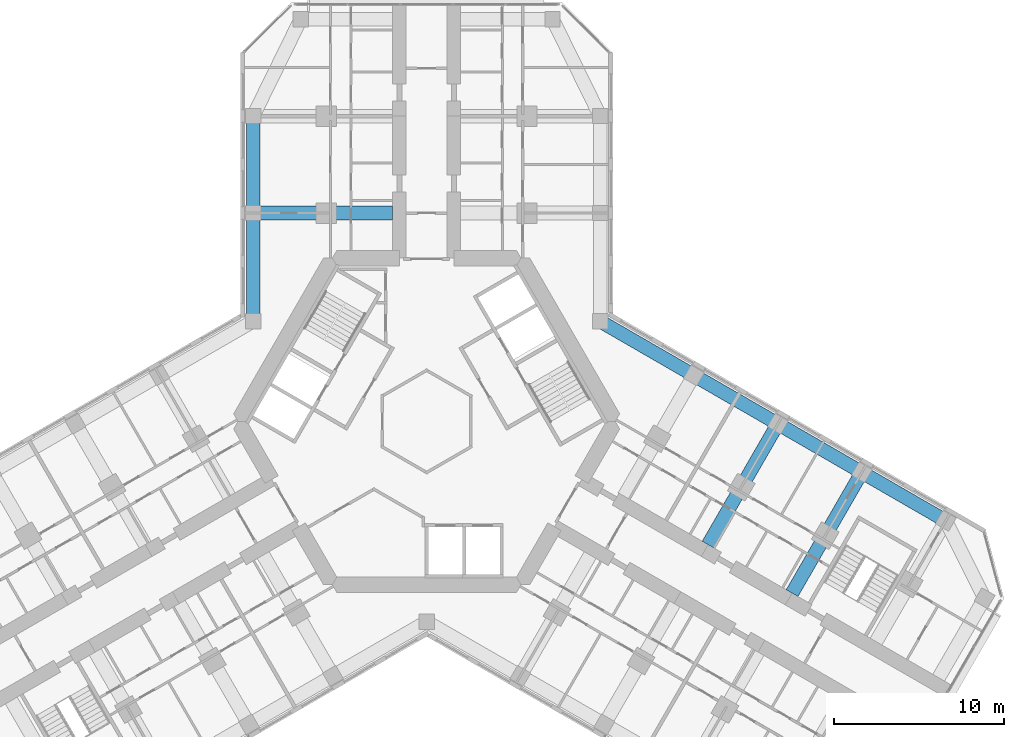
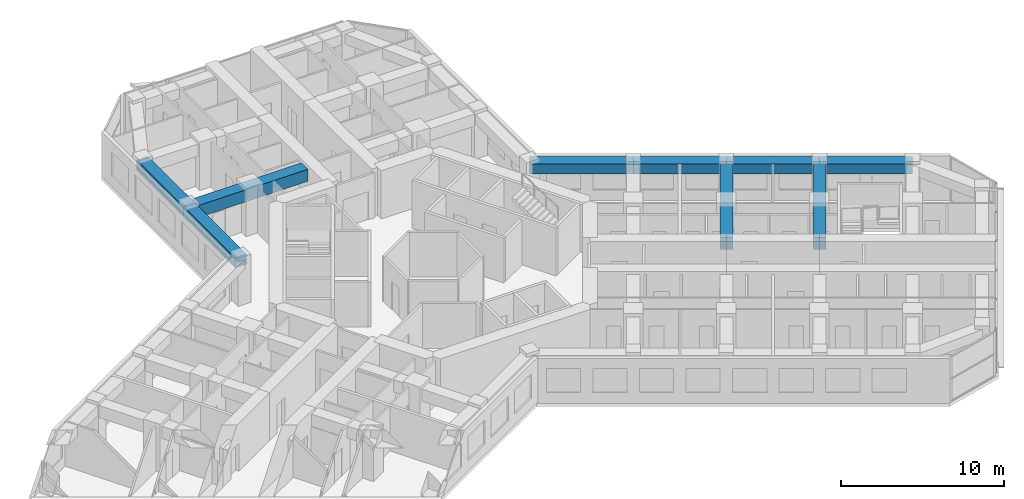
# One storey, part 6 of 20: 9 beams.
"""IFC4 building model written with IfcOpenShell, lengths in metres."""

import ifcopenshell
import ifcopenshell.guid

model = None  # the IFC model being written
_history = None  # IfcOwnerHistory: only IFC2X3 demands one
_inside = {}  # id of a spatial element -> (the spatial element, [elements in it])
_under = {}  # id of a project, library or spatial element -> (it, [spatial elements below it])
_declared = {}  # id of a project -> (the project, [libraries it declares])
_typed = {}  # id of a type object -> (the type object, [elements of that type])
_made_of = {}  # id of a material, layer set ... -> (it, [elements and type objects made of it])


def new_model(schema):
    """Start an empty IFC model of exactly this schema.

    Asked for "IFC4X3", IfcOpenShell would pick the latest addendum, in which some entities
    have other attributes; the version numbers below select the first issue.
    IFC2X3 requires an IfcOwnerHistory on every rooted entity: one is made here for all.
    """
    global model, _history
    if schema == "IFC4X3":
        model = ifcopenshell.file(schema_version=(4, 3, 0, 0))
    else:
        model = ifcopenshell.file(schema=schema)
    _inside.clear()
    _under.clear()
    _declared.clear()
    _typed.clear()
    _made_of.clear()
    _history = None
    if model.schema == "IFC2X3":
        org = make("IfcOrganization", Name="unknown")
        user = make(
            "IfcPersonAndOrganization",
            ThePerson=make("IfcPerson", FamilyName="unknown"),
            TheOrganization=org,
        )
        app = make(
            "IfcApplication",
            ApplicationDeveloper=org,
            Version="unknown",
            ApplicationFullName="unknown",
            ApplicationIdentifier="unknown",
        )
        _history = make(
            "IfcOwnerHistory",
            OwningUser=user,
            OwningApplication=app,
            ChangeAction="ADDED",
            CreationDate=0,
        )
    return model


def make(cls, **values):
    """One entity of the class cls with the attributes given. An attribute that is None is left unset."""
    return model.create_entity(
        cls, **{name: value for name, value in values.items() if value is not None}
    )


def rooted(cls, **values):
    """An entity with a GlobalId (a new one), such as an element, a storey or a relation."""
    return make(cls, GlobalId=ifcopenshell.guid.new(), OwnerHistory=_history, **values)


def si_unit(unit_type, name, prefix=None):
    """IfcSIUnit, for example si_unit("LENGTHUNIT", "METRE", prefix="MILLI")."""
    return make("IfcSIUnit", UnitType=unit_type, Prefix=prefix, Name=name)


def assignment(units):
    """IfcUnitAssignment: the units of a project."""
    return None if units is None else make("IfcUnitAssignment", Units=units)


def point(xyz):
    """IfcCartesianPoint."""
    return None if xyz is None else make("IfcCartesianPoint", Coordinates=xyz)


def direction(xyz):
    """IfcDirection."""
    return None if xyz is None else make("IfcDirection", DirectionRatios=xyz)


def frame(location, z_axis=None, x_axis=None):
    """IfcAxis2Placement3D, a coordinate frame: its origin and axes. An axis left out is left unset."""
    return make(
        "IfcAxis2Placement3D",
        Location=point(location),
        Axis=direction(z_axis),
        RefDirection=direction(x_axis),
    )


def frame_2d(location, x_axis=None):
    """IfcAxis2Placement2D, a coordinate frame in the plane: its origin and x axis."""
    return make(
        "IfcAxis2Placement2D", Location=point(location), RefDirection=direction(x_axis)
    )


def origin():
    """The frame at (0, 0, 0) with its axes left unset."""
    return frame((0.0, 0.0, 0.0))


def origin_2d():
    """The frame at (0, 0) in the plane with its x axis left unset."""
    return frame_2d((0.0, 0.0))


def place(relative_to, where):
    """IfcLocalPlacement: puts the frame where relative to a parent placement (None: the world)."""
    return make(
        "IfcLocalPlacement", PlacementRelTo=relative_to, RelativePlacement=where
    )


def context(
    kind, dimensions, precision=None, world=None, true_north=None, identifier=None
):
    """IfcGeometricRepresentationContext, for example the 3D "Model" context."""
    return make(
        "IfcGeometricRepresentationContext",
        ContextIdentifier=identifier,
        ContextType=kind,
        CoordinateSpaceDimension=dimensions,
        Precision=precision,
        WorldCoordinateSystem=world,
        TrueNorth=true_north,
    )


def subcontext(parent, identifier, kind, view, scale=None):
    """IfcGeometricRepresentationSubContext, for example "Body" below "Model"."""
    return make(
        "IfcGeometricRepresentationSubContext",
        ContextIdentifier=identifier,
        ContextType=kind,
        ParentContext=parent,
        TargetScale=scale,
        TargetView=view,
    )


def project(units=None, contexts=None):
    """IfcProject with its units and contexts."""
    return rooted(
        "IfcProject",
        Name="project",
        RepresentationContexts=contexts,
        UnitsInContext=assignment(units),
    )


def spatial(cls, under=None, at=None, **own):
    """A site, building, storey or space (cls), placed at a placement, below another one or the project."""
    s = rooted(cls, ObjectPlacement=at, **own)
    if under is not None:
        _under.setdefault(under.id(), (under, []))[1].append(s)
    return s


def profile(cls, at=None, kind="AREA", **sizes):
    """A parametric profile (cls). Its sizes go by their IFC names, for example OverallWidth=200.0."""
    return make(cls, ProfileType=kind, Position=at, **sizes)


def rectangle(**sizes):
    """IfcRectangleProfileDef."""
    return profile("IfcRectangleProfileDef", **sizes)


def extrude(swept, where, along, depth):
    """IfcExtrudedAreaSolid: the profile swept, set in the frame where, extruded along a direction by depth."""
    return make(
        "IfcExtrudedAreaSolid",
        SweptArea=swept,
        Position=where,
        ExtrudedDirection=direction(along),
        Depth=depth,
    )


def shape(context_of_items, identifier, shape_type, items):
    """IfcShapeRepresentation: the items that make up one representation, for example the "Body"."""
    return make(
        "IfcShapeRepresentation",
        ContextOfItems=context_of_items,
        RepresentationIdentifier=identifier,
        RepresentationType=shape_type,
        Items=items,
    )


def material(Name=None, Category=None):
    """IfcMaterial."""
    return make("IfcMaterial", Name=Name, Category=Category)


def material_profile(
    of_material, cross_section, Name=None, Category=None, Priority=None
):
    """IfcMaterialProfile: a cross section and its material."""
    return make(
        "IfcMaterialProfile",
        Name=Name,
        Material=of_material,
        Profile=cross_section,
        Priority=Priority,
        Category=Category,
    )


def profile_set(profiles, Name=None, composite=None):
    """IfcMaterialProfileSet."""
    return make(
        "IfcMaterialProfileSet",
        Name=Name,
        MaterialProfiles=profiles,
        CompositeProfile=composite,
    )


def made_of(thing, what):
    """Note that an element or type object is made of a material, layer set ...; save() writes the relation."""
    if what is not None:
        _made_of.setdefault(what.id(), (what, []))[1].append(thing)
    return thing


def type_object(cls, material=None, **own):
    """A type object (cls), such as IfcWallType, which elements share."""
    return made_of(rooted(cls, **own), material)


def element(
    cls,
    number,
    at=None,
    inside=None,
    cuts=None,
    type_object=None,
    material=None,
    context=None,
    identifier="Body",
    shape_type=None,
    held_by="IfcProductDefinitionShape",
    body=None,
    shapes=None,
    **own,
):
    """One element of the class cls, such as IfcWall. Its Tag is "e" and its number.

    at: its placement. inside: the storey or other place that contains it. cuts: it is an
    opening in that element (IfcRelVoidsElement). A single representation is given by context,
    identifier, shape_type and body (its items); several are given by shapes. held_by: the class
    of the entity that holds the representations. save() writes the other relations.
    """
    e = rooted(cls, Tag="e%d" % number, ObjectPlacement=at, **own)
    if body is not None:
        shapes = [shape(context, identifier, shape_type, body)]
    if shapes is not None:
        e.Representation = make(held_by, Representations=shapes)
    if inside is not None:
        _inside.setdefault(inside.id(), (inside, []))[1].append(e)
    if cuts is not None:
        rooted(
            "IfcRelVoidsElement", RelatingBuildingElement=cuts, RelatedOpeningElement=e
        )
    if type_object is not None:
        _typed.setdefault(type_object.id(), (type_object, []))[1].append(e)
    return made_of(e, material)


def aggregate(whole, parts):
    """IfcRelAggregates: a whole, such as a stair, and the parts it consists of."""
    return rooted("IfcRelAggregates", RelatingObject=whole, RelatedObjects=parts)


def save(model, path):
    """Write the relations noted so far, then the file.

    IfcRelAggregates (storeys below a building ...), IfcRelContainedInSpatialStructure (elements
    in a storey), IfcRelDefinesByType, IfcRelAssociatesMaterial and IfcRelDeclares: one each for
    every whole, place, type object, material and project.
    """
    for whole, parts in _under.values():
        aggregate(whole, parts)
    for where, things in _inside.values():
        rooted(
            "IfcRelContainedInSpatialStructure",
            RelatedElements=things,
            RelatingStructure=where,
        )
    for kind, things in _typed.values():
        rooted("IfcRelDefinesByType", RelatedObjects=things, RelatingType=kind)
    for what, things in _made_of.values():
        rooted("IfcRelAssociatesMaterial", RelatedObjects=things, RelatingMaterial=what)
    for by, libraries in _declared.values():
        rooted("IfcRelDeclares", RelatingContext=by, RelatedDefinitions=libraries)
    model.write(path)


model = new_model("IFC4")

# Units and contexts
model_context = context("Model", 3, precision=1e-05, world=origin(), true_north=direction((0.0, 1.0)))
body_context = subcontext(model_context, "Body", "Model", "MODEL_VIEW")
ifc_project = project(units=[si_unit("LENGTHUNIT", "METRE"), si_unit("AREAUNIT", "SQUARE_METRE"), si_unit("VOLUMEUNIT", "CUBIC_METRE"), si_unit("PLANEANGLEUNIT", "RADIAN"), si_unit("MASSUNIT", "GRAM", prefix="KILO")], contexts=[model_context])

# Site, building, storey
site_placement = place(None, origin())
site = spatial("IfcSite", under=ifc_project, at=site_placement, CompositionType="ELEMENT")
building_placement = place(site_placement, origin())
building = spatial("IfcBuilding", under=site, at=building_placement, Name="Kosmar Iwan School Tower", CompositionType="ELEMENT")
storey_placement = place(building_placement, frame((0.0, 0.0, 176.0)))
storey = spatial("IfcBuildingStorey", under=building, at=storey_placement, Name="L44", CompositionType="ELEMENT", Elevation=176.0)

# Beams
ifc_material_1 = material(Name="Concrete C50/60", Category="concrete")
ifc_material_profile_1 = material_profile(ifc_material_1, rectangle(XDim=0.800048828125, YDim=0.75, at=origin_2d()), Name="RC 800x750")
ifc_profile_set_1 = profile_set([ifc_material_profile_1], Name="Concrete C50/60")
beam_type_1 = type_object("IfcBeamType", Name="RC edge beam 800x750", PredefinedType="BEAM", material=ifc_profile_set_1)
beam_1_placement = place(storey_placement, frame((-10.199951171875, 5.888916015625, 2.97509765625), z_axis=(0.0, 1.0, 0.0), x_axis=(-1.0, 0.0, 0.0)))
element("IfcBeam", 1, at=beam_1_placement, inside=storey, type_object=beam_type_1, Name="Edge beam AL1", PredefinedType="BEAM", context=body_context, shape_type="SweptSolid", body=[
    extrude(rectangle(XDim=0.800048828125, YDim=0.75, at=origin_2d()), origin(), (0.0, 0.0, 1.0), 6.361083984375),
])
beam_2_placement = place(storey_placement, frame((-10.199951171875, 12.25, 2.97509765625), z_axis=(0.0, 1.0, 0.0), x_axis=(-1.0, 0.0, 0.0)))
element("IfcBeam", 2, at=beam_2_placement, inside=storey, type_object=beam_type_1, Name="Edge beam AL2", PredefinedType="BEAM", context=body_context, shape_type="SweptSolid", body=[
    extrude(rectangle(XDim=0.800048828125, YDim=0.75, at=origin_2d()), origin(), (0.0, 0.0, 1.0), 5.699951171875),
])
beam_3_placement = place(storey_placement, frame((10.199951171875, 5.888916015625, 2.97509765625), z_axis=(0.866030912664, -0.49999045822, 0.0), x_axis=(0.49999045822, 0.866030912664, 0.0)))
element("IfcBeam", 3, at=beam_3_placement, inside=storey, type_object=beam_type_1, Name="Edge beam CL1", PredefinedType="BEAM", context=body_context, shape_type="SweptSolid", body=[
    extrude(rectangle(XDim=0.800048828125, YDim=0.75, at=origin_2d()), origin(), (0.0, 0.0, 1.0), 6.36083984375),
])
beam_4_placement = place(storey_placement, frame((15.708740234375, 2.70849609375, 2.97509765625), z_axis=(0.866025820012, -0.499999279071, 0.0), x_axis=(0.499999279071, 0.866025820012, 0.0)))
element("IfcBeam", 4, at=beam_4_placement, inside=storey, type_object=beam_type_1, Name="Edge beam CL2", PredefinedType="BEAM", context=body_context, shape_type="SweptSolid", body=[
    extrude(rectangle(XDim=0.800048828125, YDim=0.75, at=origin_2d()), origin(), (0.0, 0.0, 1.0), 5.7001953125),
])
for number, where, z_axis, x_axis, name in (
    (5, (20.645263671875, -0.1416015625, 2.97509765625), (0.866033658841, -0.49998570155, 0.0), (0.49998570155, 0.866033658841, 0.0), "Edge beam CL3"),
    (6, (25.58154296875, -2.991455078125, 2.97509765625), (0.866015111908, -0.50001782563, 0.0), (0.50001782563, 0.866015111908, 0.0), "Edge beam CL4"),
):
    element("IfcBeam", number, at=place(storey_placement, frame(where, z_axis=z_axis, x_axis=x_axis)), inside=storey, type_object=beam_type_1, Name=name, PredefinedType="BEAM", context=body_context, shape_type="SweptSolid", body=[
        extrude(rectangle(XDim=0.800048828125, YDim=0.75, at=origin_2d()), origin(), (0.0, 0.0, 1.0), 5.699951171875),
    ])
ifc_material_2 = material(Name="Concrete C50/60", Category="concrete")
ifc_material_profile_2 = material_profile(ifc_material_2, rectangle(XDim=0.800048828125, YDim=0.89990234375, at=origin_2d()), Name="RC 800x900")
ifc_profile_set_2 = profile_set([ifc_material_profile_2], Name="Concrete C50/60")
beam_type_2 = type_object("IfcBeamType", Name="RC transverse beam 800x900", PredefinedType="BEAM", material=ifc_profile_set_2)
for number, where, z_axis, x_axis, name in (
    (7, (-10.199951171875, 12.25, 2.89990234375), (1.0, 0.0, 0.0), (0.0, 1.0, 0.0), "Transverse beam AL1"),
    (8, (20.645263671875, -0.1416015625, 2.89990234375), (-0.500013681986, -0.866017504342, 0.0), (0.866017504342, -0.500013681986, 0.0), "Transverse beam CL2"),
):
    element("IfcBeam", number, at=place(storey_placement, frame(where, z_axis=z_axis, x_axis=x_axis)), inside=storey, type_object=beam_type_2, Name=name, PredefinedType="BEAM", context=body_context, shape_type="SweptSolid", body=[
        extrude(rectangle(XDim=0.800048828125, YDim=0.89990234375, at=origin_2d()), origin(), (0.0, 0.0, 1.0), 8.199951171875),
    ])
beam_5_placement = place(storey_placement, frame((25.58154296875, -2.991455078125, 2.89990234375), z_axis=(-0.500000789788, -0.8660249478, 0.0), x_axis=(0.8660249478, -0.500000789788, 0.0)))
element("IfcBeam", 9, at=beam_5_placement, inside=storey, type_object=beam_type_2, Name="Transverse beam CL3", PredefinedType="BEAM", context=body_context, shape_type="SweptSolid", body=[
    extrude(rectangle(XDim=0.800048828125, YDim=0.89990234375, at=origin_2d()), origin(), (0.0, 0.0, 1.0), 8.2001953125),
])

save(model, "model.ifc")
